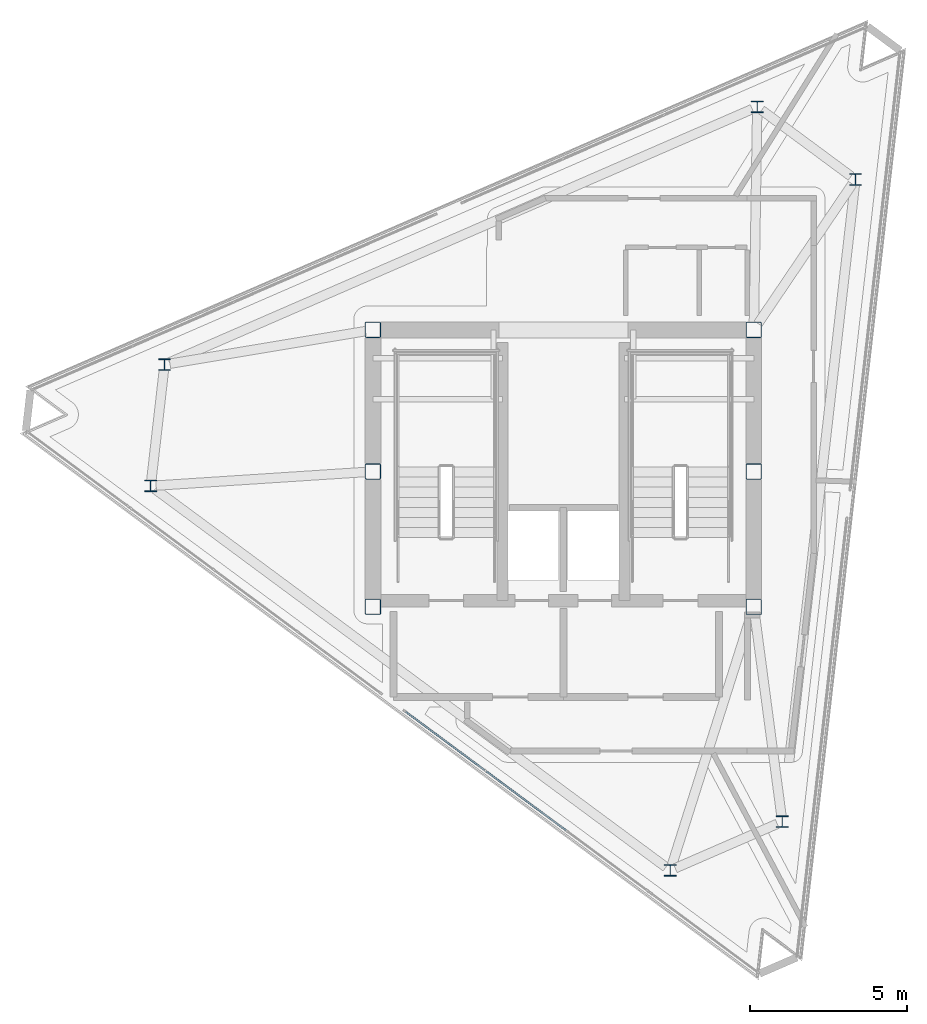
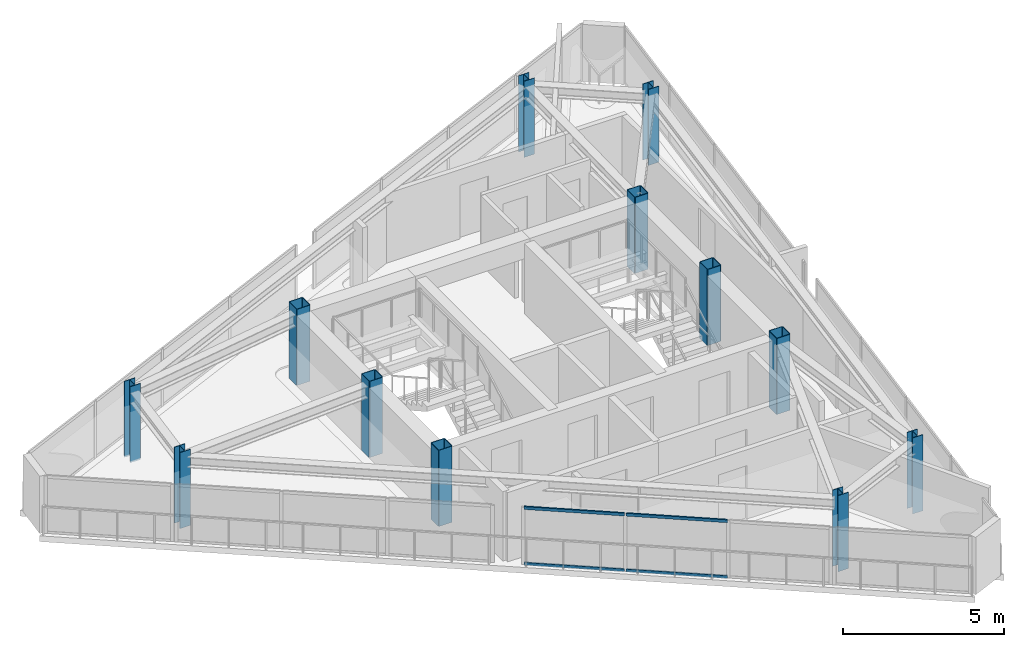
# One storey, part 1 of 10: 12 columns, 4 members, 1 element without a shape of its own.
"""IFC4 building model written with IfcOpenShell, lengths in metres."""

import ifcopenshell
import ifcopenshell.guid

model = None  # the IFC model being written
_history = None  # IfcOwnerHistory: only IFC2X3 demands one
_inside = {}  # id of a spatial element -> (the spatial element, [elements in it])
_under = {}  # id of a project, library or spatial element -> (it, [spatial elements below it])
_declared = {}  # id of a project -> (the project, [libraries it declares])
_typed = {}  # id of a type object -> (the type object, [elements of that type])
_made_of = {}  # id of a material, layer set ... -> (it, [elements and type objects made of it])


def new_model(schema):
    """Start an empty IFC model of exactly this schema.

    Asked for "IFC4X3", IfcOpenShell would pick the latest addendum, in which some entities
    have other attributes; the version numbers below select the first issue.
    IFC2X3 requires an IfcOwnerHistory on every rooted entity: one is made here for all.
    """
    global model, _history
    if schema == "IFC4X3":
        model = ifcopenshell.file(schema_version=(4, 3, 0, 0))
    else:
        model = ifcopenshell.file(schema=schema)
    _inside.clear()
    _under.clear()
    _declared.clear()
    _typed.clear()
    _made_of.clear()
    _history = None
    if model.schema == "IFC2X3":
        org = make("IfcOrganization", Name="unknown")
        user = make(
            "IfcPersonAndOrganization",
            ThePerson=make("IfcPerson", FamilyName="unknown"),
            TheOrganization=org,
        )
        app = make(
            "IfcApplication",
            ApplicationDeveloper=org,
            Version="unknown",
            ApplicationFullName="unknown",
            ApplicationIdentifier="unknown",
        )
        _history = make(
            "IfcOwnerHistory",
            OwningUser=user,
            OwningApplication=app,
            ChangeAction="ADDED",
            CreationDate=0,
        )
    return model


def make(cls, **values):
    """One entity of the class cls with the attributes given. An attribute that is None is left unset."""
    return model.create_entity(
        cls, **{name: value for name, value in values.items() if value is not None}
    )


def rooted(cls, **values):
    """An entity with a GlobalId (a new one), such as an element, a storey or a relation."""
    return make(cls, GlobalId=ifcopenshell.guid.new(), OwnerHistory=_history, **values)


def si_unit(unit_type, name, prefix=None):
    """IfcSIUnit, for example si_unit("LENGTHUNIT", "METRE", prefix="MILLI")."""
    return make("IfcSIUnit", UnitType=unit_type, Prefix=prefix, Name=name)


def assignment(units):
    """IfcUnitAssignment: the units of a project."""
    return None if units is None else make("IfcUnitAssignment", Units=units)


def point(xyz):
    """IfcCartesianPoint."""
    return None if xyz is None else make("IfcCartesianPoint", Coordinates=xyz)


def direction(xyz):
    """IfcDirection."""
    return None if xyz is None else make("IfcDirection", DirectionRatios=xyz)


def frame(location, z_axis=None, x_axis=None):
    """IfcAxis2Placement3D, a coordinate frame: its origin and axes. An axis left out is left unset."""
    return make(
        "IfcAxis2Placement3D",
        Location=point(location),
        Axis=direction(z_axis),
        RefDirection=direction(x_axis),
    )


def frame_2d(location, x_axis=None):
    """IfcAxis2Placement2D, a coordinate frame in the plane: its origin and x axis."""
    return make(
        "IfcAxis2Placement2D", Location=point(location), RefDirection=direction(x_axis)
    )


def origin():
    """The frame at (0, 0, 0) with its axes left unset."""
    return frame((0.0, 0.0, 0.0))


def origin_2d():
    """The frame at (0, 0) in the plane with its x axis left unset."""
    return frame_2d((0.0, 0.0))


def place(relative_to, where):
    """IfcLocalPlacement: puts the frame where relative to a parent placement (None: the world)."""
    return make(
        "IfcLocalPlacement", PlacementRelTo=relative_to, RelativePlacement=where
    )


def context(
    kind, dimensions, precision=None, world=None, true_north=None, identifier=None
):
    """IfcGeometricRepresentationContext, for example the 3D "Model" context."""
    return make(
        "IfcGeometricRepresentationContext",
        ContextIdentifier=identifier,
        ContextType=kind,
        CoordinateSpaceDimension=dimensions,
        Precision=precision,
        WorldCoordinateSystem=world,
        TrueNorth=true_north,
    )


def subcontext(parent, identifier, kind, view, scale=None):
    """IfcGeometricRepresentationSubContext, for example "Body" below "Model"."""
    return make(
        "IfcGeometricRepresentationSubContext",
        ContextIdentifier=identifier,
        ContextType=kind,
        ParentContext=parent,
        TargetScale=scale,
        TargetView=view,
    )


def project(units=None, contexts=None):
    """IfcProject with its units and contexts."""
    return rooted(
        "IfcProject",
        Name="project",
        RepresentationContexts=contexts,
        UnitsInContext=assignment(units),
    )


def spatial(cls, under=None, at=None, **own):
    """A site, building, storey or space (cls), placed at a placement, below another one or the project."""
    s = rooted(cls, ObjectPlacement=at, **own)
    if under is not None:
        _under.setdefault(under.id(), (under, []))[1].append(s)
    return s


def profile(cls, at=None, kind="AREA", **sizes):
    """A parametric profile (cls). Its sizes go by their IFC names, for example OverallWidth=200.0."""
    return make(cls, ProfileType=kind, Position=at, **sizes)


def rectangle(**sizes):
    """IfcRectangleProfileDef."""
    return profile("IfcRectangleProfileDef", **sizes)


def hollow_rectangle(**sizes):
    """IfcRectangleHollowProfileDef."""
    return profile("IfcRectangleHollowProfileDef", **sizes)


def i_section(**sizes):
    """IfcIShapeProfileDef."""
    return profile("IfcIShapeProfileDef", **sizes)


def extrude(swept, where, along, depth):
    """IfcExtrudedAreaSolid: the profile swept, set in the frame where, extruded along a direction by depth."""
    return make(
        "IfcExtrudedAreaSolid",
        SweptArea=swept,
        Position=where,
        ExtrudedDirection=direction(along),
        Depth=depth,
    )


def shape(context_of_items, identifier, shape_type, items):
    """IfcShapeRepresentation: the items that make up one representation, for example the "Body"."""
    return make(
        "IfcShapeRepresentation",
        ContextOfItems=context_of_items,
        RepresentationIdentifier=identifier,
        RepresentationType=shape_type,
        Items=items,
    )


def material(Name=None, Category=None):
    """IfcMaterial."""
    return make("IfcMaterial", Name=Name, Category=Category)


def layer(
    of_material, thickness, ventilated=None, Name=None, Category=None, Priority=None
):
    """IfcMaterialLayer: one layer of a wall or slab, of a material (None: an air gap)."""
    return make(
        "IfcMaterialLayer",
        Material=of_material,
        LayerThickness=thickness,
        IsVentilated=ventilated,
        Name=Name,
        Category=Category,
        Priority=Priority,
    )


def layer_set(layers, Name=None):
    """IfcMaterialLayerSet."""
    return make("IfcMaterialLayerSet", MaterialLayers=layers, LayerSetName=Name)


def material_profile(
    of_material, cross_section, Name=None, Category=None, Priority=None
):
    """IfcMaterialProfile: a cross section and its material."""
    return make(
        "IfcMaterialProfile",
        Name=Name,
        Material=of_material,
        Profile=cross_section,
        Priority=Priority,
        Category=Category,
    )


def profile_set(profiles, Name=None, composite=None):
    """IfcMaterialProfileSet."""
    return make(
        "IfcMaterialProfileSet",
        Name=Name,
        MaterialProfiles=profiles,
        CompositeProfile=composite,
    )


def made_of(thing, what):
    """Note that an element or type object is made of a material, layer set ...; save() writes the relation."""
    if what is not None:
        _made_of.setdefault(what.id(), (what, []))[1].append(thing)
    return thing


def type_object(cls, material=None, **own):
    """A type object (cls), such as IfcWallType, which elements share."""
    return made_of(rooted(cls, **own), material)


def element(
    cls,
    number,
    at=None,
    inside=None,
    cuts=None,
    type_object=None,
    material=None,
    context=None,
    identifier="Body",
    shape_type=None,
    held_by="IfcProductDefinitionShape",
    body=None,
    shapes=None,
    **own,
):
    """One element of the class cls, such as IfcWall. Its Tag is "e" and its number.

    at: its placement. inside: the storey or other place that contains it. cuts: it is an
    opening in that element (IfcRelVoidsElement). A single representation is given by context,
    identifier, shape_type and body (its items); several are given by shapes. held_by: the class
    of the entity that holds the representations. save() writes the other relations.
    """
    e = rooted(cls, Tag="e%d" % number, ObjectPlacement=at, **own)
    if body is not None:
        shapes = [shape(context, identifier, shape_type, body)]
    if shapes is not None:
        e.Representation = make(held_by, Representations=shapes)
    if inside is not None:
        _inside.setdefault(inside.id(), (inside, []))[1].append(e)
    if cuts is not None:
        rooted(
            "IfcRelVoidsElement", RelatingBuildingElement=cuts, RelatedOpeningElement=e
        )
    if type_object is not None:
        _typed.setdefault(type_object.id(), (type_object, []))[1].append(e)
    return made_of(e, material)


def aggregate(whole, parts):
    """IfcRelAggregates: a whole, such as a stair, and the parts it consists of."""
    return rooted("IfcRelAggregates", RelatingObject=whole, RelatedObjects=parts)


def save(model, path):
    """Write the relations noted so far, then the file.

    IfcRelAggregates (storeys below a building ...), IfcRelContainedInSpatialStructure (elements
    in a storey), IfcRelDefinesByType, IfcRelAssociatesMaterial and IfcRelDeclares: one each for
    every whole, place, type object, material and project.
    """
    for whole, parts in _under.values():
        aggregate(whole, parts)
    for where, things in _inside.values():
        rooted(
            "IfcRelContainedInSpatialStructure",
            RelatedElements=things,
            RelatingStructure=where,
        )
    for kind, things in _typed.values():
        rooted("IfcRelDefinesByType", RelatedObjects=things, RelatingType=kind)
    for what, things in _made_of.values():
        rooted("IfcRelAssociatesMaterial", RelatedObjects=things, RelatingMaterial=what)
    for by, libraries in _declared.values():
        rooted("IfcRelDeclares", RelatingContext=by, RelatedDefinitions=libraries)
    model.write(path)


model = new_model("IFC4")

# Units and contexts
model_context = context("Model", 3, precision=1e-05, world=origin(), true_north=direction((0.0, 1.0)))
body_context = subcontext(model_context, "Body", "Model", "MODEL_VIEW")
ifc_project = project(units=[si_unit("LENGTHUNIT", "METRE"), si_unit("AREAUNIT", "SQUARE_METRE"), si_unit("VOLUMEUNIT", "CUBIC_METRE"), si_unit("PLANEANGLEUNIT", "RADIAN"), si_unit("MASSUNIT", "GRAM", prefix="KILO")], contexts=[model_context])

# Site, building, storey
site_placement = place(None, origin())
site = spatial("IfcSite", under=ifc_project, at=site_placement, CompositionType="ELEMENT")
building_placement = place(site_placement, origin())
building = spatial("IfcBuilding", under=site, at=building_placement, Name="Rocaltana Carrier Exchange", CompositionType="ELEMENT")
storey_placement = place(building_placement, frame((0.0, 0.0, 252.0)))
storey = spatial("IfcBuildingStorey", under=building, at=storey_placement, Name="L80", CompositionType="ELEMENT", Elevation=252.0)

# Columns
ifc_material_1 = material(Name="Steel S460", Category="steel")
ifc_material_profile_1 = material_profile(ifc_material_1, hollow_rectangle(XDim=0.5, YDim=0.5, WallThickness=0.02001953125, InnerFilletRadius=0.02001953125, OuterFilletRadius=0.0400390625, at=origin_2d()), Name="HSS500X500X20")
ifc_profile_set_1 = profile_set([ifc_material_profile_1], Name="Steel S460")
column_type_1 = type_object("IfcColumnType", Name="Core Crown Column HSS500", PredefinedType="COLUMN", material=ifc_profile_set_1)
for number, where, z_axis, x_axis, name in (
    (1, (-6.050048828125, 4.5, 0.0), (0.0, 0.0, 1.0), (1.0, 0.0, 0.0), "L80 Core Mega-Column MC1"),
    (2, (6.050048828125, 4.5, 0.0), (0.0, 0.0, 1.0), (1.0, 0.0, 0.0), "L80 Core Mega-Column MC2"),
    (3, (-6.050048828125, 0.0, 0.0), (0.0, 0.0, 1.0), (1.0, 0.0, 0.0), "L80 Core Mega-Column MC3"),
    (4, (6.050048828125, 0.0, 0.0), (0.0, 0.0, 1.0), (1.0, 0.0, 0.0), "L80 Core Mega-Column MC4"),
    (5, (-6.050048828125, -4.300048828125, 0.0), (0.0, 0.0, 1.0), (1.0, 0.0, 0.0), "L80 Core Mega-Column MC5"),
    (6, (6.050048828125, -4.300048828125, 0.0), (0.0, 0.0, 1.0), (1.0, 0.0, 0.0), "L80 Core Mega-Column MC6"),
):
    element("IfcColumn", number, at=place(storey_placement, frame(where, z_axis=z_axis, x_axis=x_axis)), inside=storey, type_object=column_type_1, Name=name, PredefinedType="COLUMN", context=body_context, shape_type="SweptSolid", body=[
        extrude(hollow_rectangle(XDim=0.5, YDim=0.5, WallThickness=0.02001953125, InnerFilletRadius=0.02001953125, OuterFilletRadius=0.0400390625, at=origin_2d()), origin(), (0.0, 0.0, 1.0), 2.8798828125),
    ])
ifc_material_2 = material(Name="Steel S355", Category="steel")
ifc_material_profile_2 = material_profile(ifc_material_2, i_section(OverallWidth=0.37109375, OverallDepth=0.364013671875, WebThickness=0.01318359375, FlangeThickness=0.021728515625, FilletRadius=0.014892578125, at=origin_2d()), Name="W14X109")
ifc_profile_set_2 = profile_set([ifc_material_profile_2], Name="Steel S355")
column_type_2 = type_object("IfcColumnType", Name="Crown Column W14X109", PredefinedType="COLUMN", material=ifc_profile_set_2)
for number, where, z_axis, x_axis, name in (
    (7, (6.953125, -11.126708984375, 0.0), (0.0, 0.0, 1.0), (1.0, 0.0, 0.0), "L80 Crown Column CC01"),
    (8, (9.27783203125, 9.27734375, 0.0), (0.0, 0.0, 1.0), (1.0, 0.0, 0.0), "L80 Crown Column CC02"),
    (9, (6.159423828125, 11.5849609375, 0.0), (0.0, 0.0, 1.0), (1.0, 0.0, 0.0), "L80 Crown Column CC03"),
    (10, (-12.67333984375, 3.396240234375, 0.0), (0.0, 0.0, 1.0), (1.0, 0.0, 0.0), "L80 Crown Column CC04"),
    (11, (-13.112548828125, -0.458251953125, 0.0), (0.0, 0.0, 1.0), (1.0, 0.0, 0.0), "L80 Crown Column CC05"),
    (12, (3.3955078125, -12.673583984375, 0.0), (0.0, 0.0, 1.0), (1.0, 0.0, 0.0), "L80 Crown Column CC06"),
):
    element("IfcColumn", number, at=place(storey_placement, frame(where, z_axis=z_axis, x_axis=x_axis)), inside=storey, type_object=column_type_2, Name=name, PredefinedType="COLUMN", context=body_context, shape_type="SweptSolid", body=[
        extrude(i_section(OverallWidth=0.37109375, OverallDepth=0.364013671875, WebThickness=0.01318359375, FlangeThickness=0.021728515625, FilletRadius=0.014892578125, at=origin_2d()), origin(), (0.0, 0.0, 1.0), 2.8798828125),
    ])

# Curtain wall, members
ifc_material_3 = material(Name="Aluminium 6063-T6", Category="aluminium")
ifc_layer = layer(ifc_material_3, 0.110107421875)
ifc_layer_set = layer_set([ifc_layer], Name="Aluminium 6063-T6")
curtain_wall_type = type_object("IfcCurtainWallType", Name="Crown Lantern Faceted Curtain Wall CW-06", PredefinedType="NOTDEFINED", material=ifc_layer_set)
curtain_wall_placement = place(storey_placement, origin())
curtain_wall = element("IfcCurtainWall", 13, at=curtain_wall_placement, inside=storey, type_object=curtain_wall_type, Name="L80 CW-06 Run CW06-L80-F3S2-S1", PredefinedType="NOTDEFINED")
ifc_material_4 = material(Name="Aluminium 6063-T6", Category="aluminium")
ifc_material_profile_3 = material_profile(ifc_material_4, rectangle(XDim=0.054931640625, YDim=0.110107421875, at=origin_2d()), Name="AL-55X110")
ifc_profile_set_3 = profile_set([ifc_material_profile_3], Name="Aluminium 6063-T6")
member_type = type_object("IfcMemberType", Name="CW-06 Transom AL-55X110", PredefinedType="USERDEFINED", material=ifc_profile_set_3)
member_1_placement = place(storey_placement, frame((-5.01611328125, -7.6279296875, 0.027587890625), z_axis=(0.803891071937, -0.594776550026, 0.0), x_axis=(0.594776550026, 0.803891071937, 0.0)))
member_1 = element("IfcMember", 14, at=member_1_placement, type_object=member_type, Name="CW-06 transom 1.1", ObjectType="TRANSOM", PredefinedType="USERDEFINED", context=body_context, shape_type="SweptSolid", body=[
    extrude(rectangle(XDim=0.054931640625, YDim=0.110107421875, at=origin_2d()), origin(), (0.0, 0.0, 1.0), 3.133544921875),
])
member_2_placement = place(storey_placement, frame((-5.01611328125, -7.6279296875, 2.140380859375), z_axis=(0.803891071937, -0.594776550026, 0.0), x_axis=(0.594776550026, 0.803891071937, 0.0)))
member_2 = element("IfcMember", 15, at=member_2_placement, type_object=member_type, Name="CW-06 transom 1.2", ObjectType="TRANSOM", PredefinedType="USERDEFINED", context=body_context, shape_type="SweptSolid", body=[
    extrude(rectangle(XDim=0.054931640625, YDim=0.110107421875, at=origin_2d()), origin(), (0.0, 0.0, 1.0), 3.133544921875),
])
member_3_placement = place(storey_placement, frame((-2.452880859375, -9.5244140625, 0.027587890625), z_axis=(0.803838944824, -0.594846997794, 0.0), x_axis=(0.594846997794, 0.803838944824, 0.0)))
member_3 = element("IfcMember", 16, at=member_3_placement, type_object=member_type, Name="CW-06 transom 2.1", ObjectType="TRANSOM", PredefinedType="USERDEFINED", context=body_context, shape_type="SweptSolid", body=[
    extrude(rectangle(XDim=0.054931640625, YDim=0.110107421875, at=origin_2d()), origin(), (0.0, 0.0, 1.0), 3.1611328125),
])
member_4_placement = place(storey_placement, frame((-2.452880859375, -9.5244140625, 2.140380859375), z_axis=(0.803838944824, -0.594846997794, 0.0), x_axis=(0.594846997794, 0.803838944824, 0.0)))
member_4 = element("IfcMember", 17, at=member_4_placement, type_object=member_type, Name="CW-06 transom 2.2", ObjectType="TRANSOM", PredefinedType="USERDEFINED", context=body_context, shape_type="SweptSolid", body=[
    extrude(rectangle(XDim=0.054931640625, YDim=0.110107421875, at=origin_2d()), origin(), (0.0, 0.0, 1.0), 3.1611328125),
])
aggregate(curtain_wall, [member_1, member_2, member_3, member_4])

save(model, "model.ifc")
